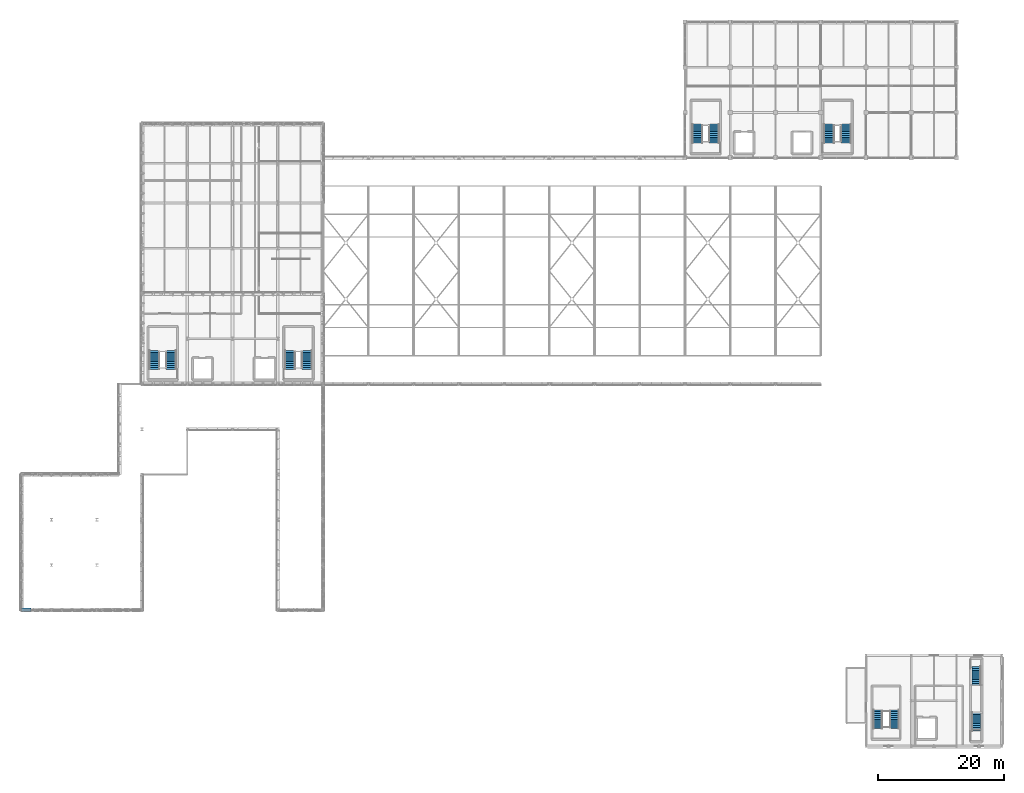
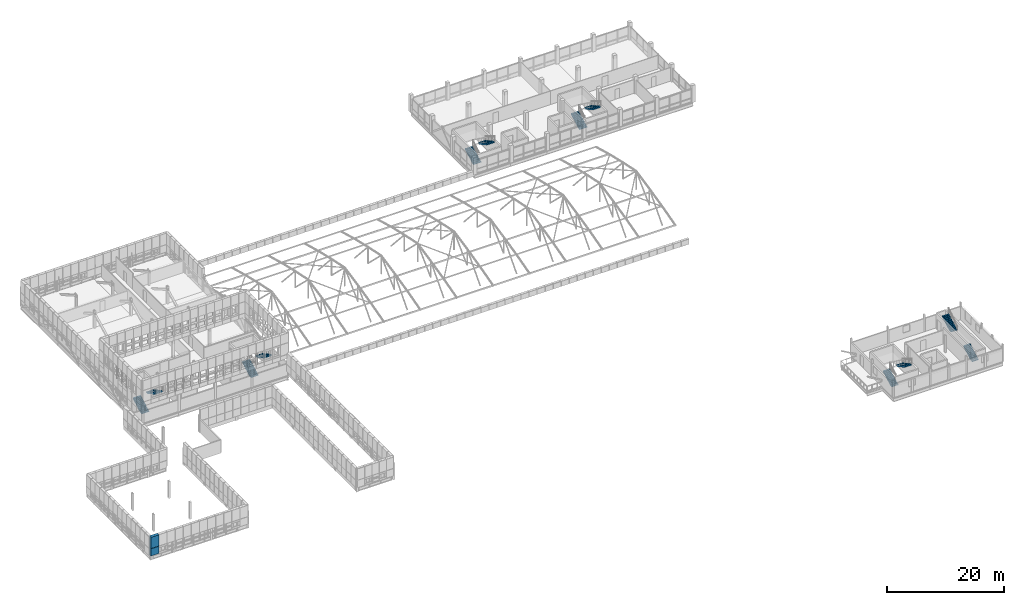
# One storey, part 62 of 96: 12 stair flights, 2 discrete accessories, 6 elements without a shape of their own.
"""IFC4 building model written with IfcOpenShell, lengths in metres."""

from ifc_helpers import new_model, si_unit, direction, frame, origin, origin_2d, place, context, subcontext, project, spatial, polyline, rectangle, outline, extrude, material, type_object, element, aggregate, save


model = new_model("IFC4")

# Units and contexts
model_context = context("Model", 3, precision=1e-05, world=origin(), true_north=direction((0.0, 1.0)))
body_context = subcontext(model_context, "Body", "Model", "MODEL_VIEW")
ifc_project = project(units=[si_unit("LENGTHUNIT", "METRE"), si_unit("AREAUNIT", "SQUARE_METRE"), si_unit("VOLUMEUNIT", "CUBIC_METRE"), si_unit("PLANEANGLEUNIT", "RADIAN"), si_unit("MASSUNIT", "GRAM", prefix="KILO")], contexts=[model_context])

# Site, building, storey
site_placement = place(None, origin())
site = spatial("IfcSite", under=ifc_project, at=site_placement, CompositionType="ELEMENT")
building_placement = place(site_placement, origin())
building = spatial("IfcBuilding", under=site, at=building_placement, Name="Yarey Park Central Fire Station", CompositionType="ELEMENT")
storey_placement = place(building_placement, frame((0.0, 0.0, 14.39990234375)))
storey = spatial("IfcBuildingStorey", under=building, at=storey_placement, Name="L04", CompositionType="ELEMENT", Elevation=14.39990234375)

# Stair, stair flights
ifc_material_1 = material(Name="Concrete C40/50", Category="concrete")
stair_type_1 = type_object("IfcStairType", Name="INT_ST_2RUN_130_H36", PredefinedType="USERDEFINED", material=ifc_material_1)
stair_1_placement = place(storey_placement, origin())
stair_1 = element("IfcStair", 1, at=stair_1_placement, inside=storey, type_object=stair_type_1, Name="Exit Stair ST-5 L04", ObjectType="TWO_RUN_STAIR", PredefinedType="USERDEFINED")
stair_flight_type_1 = type_object("IfcStairFlightType", Name="INT_FLT_130_11", PredefinedType="STRAIGHT", material=ifc_material_1)
stair_flight_1_placement = place(storey_placement, frame((145.89990234375, 2.75, 0.0), z_axis=(0.0, 0.0, 1.0), x_axis=(0.0, 1.0, 0.0)))
stair_flight_1 = element("IfcStairFlight", 2, at=stair_flight_1_placement, type_object=stair_flight_type_1, Name="STAIR_C5_L04_F1", NumberOfRisers=11, NumberOfTreads=10, PredefinedType="STRAIGHT", RiserHeight=0.163636, TreadLength=0.3, context=body_context, shape_type="SweptSolid", body=[
    extrude(outline(polyline([(0.0, 0.0), (0.0, 0.16357421875), (0.300048828125, 0.16357421875), (0.300048828125, 0.327392578125), (0.60009765625, 0.327392578125), (0.60009765625, 0.490966796875), (0.89990234375, 0.490966796875), (0.89990234375, 0.654541015625), (1.199951171875, 0.654541015625), (1.199951171875, 0.818115234375), (1.5, 0.818115234375), (1.5, 0.98193359375), (1.800048828125, 0.98193359375), (1.800048828125, 1.1455078125), (2.10009765625, 1.1455078125), (2.10009765625, 1.30908203125), (2.39990234375, 1.30908203125), (2.39990234375, 1.47265625), (2.699951171875, 1.47265625), (2.699951171875, 1.636474609375), (3.0, 1.636474609375), (3.0, 1.800048828125), (3.0, 1.3857421875), (0.45947265625, 0.0), (0.0, 0.0)])), frame((0.0, 0.64990234375, 0.0), z_axis=(0.0, -1.0, 0.0), x_axis=(1.0, 0.0, 0.0)), (0.0, 0.0, 1.0), 1.300048828125),
])
stair_flight_2_placement = place(storey_placement, frame((148.5, 5.75, 1.800048828125), z_axis=(0.0, 0.0, 1.0), x_axis=(0.0, -1.0, 0.0)))
stair_flight_2 = element("IfcStairFlight", 3, at=stair_flight_2_placement, type_object=stair_flight_type_1, Name="STAIR_C5_L04_F2", NumberOfRisers=11, NumberOfTreads=10, PredefinedType="STRAIGHT", RiserHeight=0.163636, TreadLength=0.3, context=body_context, shape_type="SweptSolid", body=[
    extrude(outline(polyline([(0.0, 0.0), (0.0, 0.16357421875), (0.300048828125, 0.16357421875), (0.300048828125, 0.327392578125), (0.60009765625, 0.327392578125), (0.60009765625, 0.490966796875), (0.89990234375, 0.490966796875), (0.89990234375, 0.654541015625), (1.199951171875, 0.654541015625), (1.199951171875, 0.818115234375), (1.5, 0.818115234375), (1.5, 0.98193359375), (1.800048828125, 0.98193359375), (1.800048828125, 1.1455078125), (2.10009765625, 1.1455078125), (2.10009765625, 1.30908203125), (2.39990234375, 1.30908203125), (2.39990234375, 1.47265625), (2.699951171875, 1.47265625), (2.699951171875, 1.636474609375), (3.0, 1.636474609375), (3.0, 1.800048828125), (3.0, 1.3857421875), (0.45947265625, 0.0), (0.0, 0.0)])), frame((0.0, 0.64990234375, 0.0), z_axis=(0.0, -1.0, 0.0), x_axis=(1.0, 0.0, 0.0)), (0.0, 0.0, 1.0), 1.300048828125),
])
aggregate(stair_1, [stair_flight_1, stair_flight_2])

stair_type_2 = type_object("IfcStairType", Name="INT_ST_1RUN_130_H36", PredefinedType="STRAIGHT_RUN_STAIR", material=ifc_material_1)
stair_2_placement = place(storey_placement, origin())
stair_2 = element("IfcStair", 4, at=stair_2_placement, inside=storey, type_object=stair_type_2, Name="Exit Stair ST-6 L04", PredefinedType="STRAIGHT_RUN_STAIR")
stair_flight_3_placement = place(storey_placement, frame((161.550048828125, 2.35009765625, 0.0), z_axis=(0.0, 0.0, 1.0), x_axis=(0.0, 1.0, 0.0)))
stair_flight_3 = element("IfcStairFlight", 5, at=stair_flight_3_placement, type_object=stair_flight_type_1, Name="STAIR_C6_L04_F1", NumberOfRisers=11, NumberOfTreads=10, PredefinedType="STRAIGHT", RiserHeight=0.163636, TreadLength=0.3, context=body_context, shape_type="SweptSolid", body=[
    extrude(outline(polyline([(0.0, 0.0), (0.0, 0.16357421875), (0.300048828125, 0.16357421875), (0.300048828125, 0.327392578125), (0.60009765625, 0.327392578125), (0.60009765625, 0.490966796875), (0.89990234375, 0.490966796875), (0.89990234375, 0.654541015625), (1.199951171875, 0.654541015625), (1.199951171875, 0.818115234375), (1.5, 0.818115234375), (1.5, 0.98193359375), (1.800048828125, 0.98193359375), (1.800048828125, 1.1455078125), (2.10009765625, 1.1455078125), (2.10009765625, 1.30908203125), (2.39990234375, 1.30908203125), (2.39990234375, 1.47265625), (2.699951171875, 1.47265625), (2.699951171875, 1.636474609375), (3.0, 1.636474609375), (3.0, 1.800048828125), (3.0, 1.3857421875), (0.45947265625, 0.0), (0.0, 0.0)])), frame((0.0, 0.64990234375, 0.0), z_axis=(0.0, -1.0, 0.0), x_axis=(1.0, 0.0, 0.0)), (0.0, 0.0, 1.0), 1.300048828125),
])
stair_flight_4_placement = place(storey_placement, frame((161.550048828125, 9.64990234375, 1.800048828125), z_axis=(0.0, 0.0, 1.0), x_axis=(0.0, 1.0, 0.0)))
stair_flight_4 = element("IfcStairFlight", 6, at=stair_flight_4_placement, type_object=stair_flight_type_1, Name="STAIR_C6_L04_F2", NumberOfRisers=11, NumberOfTreads=10, PredefinedType="STRAIGHT", RiserHeight=0.163636, TreadLength=0.3, context=body_context, shape_type="SweptSolid", body=[
    extrude(outline(polyline([(0.0, 0.0), (0.0, 0.16357421875), (0.300048828125, 0.16357421875), (0.300048828125, 0.327392578125), (0.60009765625, 0.327392578125), (0.60009765625, 0.490966796875), (0.89990234375, 0.490966796875), (0.89990234375, 0.654541015625), (1.199951171875, 0.654541015625), (1.199951171875, 0.818115234375), (1.5, 0.818115234375), (1.5, 0.98193359375), (1.800048828125, 0.98193359375), (1.800048828125, 1.1455078125), (2.10009765625, 1.1455078125), (2.10009765625, 1.30908203125), (2.39990234375, 1.30908203125), (2.39990234375, 1.47265625), (2.699951171875, 1.47265625), (2.699951171875, 1.636474609375), (3.0, 1.636474609375), (3.0, 1.800048828125), (3.0, 1.3857421875), (0.45947265625, 0.0), (0.0, 0.0)])), frame((0.0, 0.64990234375, 0.0), z_axis=(0.0, -1.0, 0.0), x_axis=(1.0, 0.0, 0.0)), (0.0, 0.0, 1.0), 1.300048828125),
])
aggregate(stair_2, [stair_flight_3, stair_flight_4])

stair_type_3 = type_object("IfcStairType", Name="INT_ST_2RUN_150_H36", PredefinedType="USERDEFINED", material=ifc_material_1)
stair_3_placement = place(storey_placement, origin())
stair_3 = element("IfcStair", 7, at=stair_3_placement, inside=storey, type_object=stair_type_3, Name="Exit Stair ST-1 L04", ObjectType="TWO_RUN_STAIR", PredefinedType="USERDEFINED")
stair_flight_type_2 = type_object("IfcStairFlightType", Name="INT_FLT_150_11", PredefinedType="STRAIGHT", material=ifc_material_1)
stair_flight_5_placement = place(storey_placement, frame((117.199951171875, 95.949951171875, 0.0), z_axis=(0.0, 0.0, 1.0), x_axis=(0.0, 1.0, 0.0)))
stair_flight_5 = element("IfcStairFlight", 8, at=stair_flight_5_placement, type_object=stair_flight_type_2, Name="STAIR_C1_L04_F1", NumberOfRisers=11, NumberOfTreads=10, PredefinedType="STRAIGHT", RiserHeight=0.163636, TreadLength=0.3, context=body_context, shape_type="SweptSolid", body=[
    extrude(outline(polyline([(0.0, 0.0), (0.0, 0.16357421875), (0.300048828125, 0.16357421875), (0.300048828125, 0.327392578125), (0.60009765625, 0.327392578125), (0.60009765625, 0.490966796875), (0.89990234375, 0.490966796875), (0.89990234375, 0.654541015625), (1.199951171875, 0.654541015625), (1.199951171875, 0.818115234375), (1.5, 0.818115234375), (1.5, 0.98193359375), (1.800048828125, 0.98193359375), (1.800048828125, 1.1455078125), (2.10009765625, 1.1455078125), (2.10009765625, 1.30908203125), (2.39990234375, 1.30908203125), (2.39990234375, 1.47265625), (2.699951171875, 1.47265625), (2.699951171875, 1.636474609375), (3.0, 1.636474609375), (3.0, 1.800048828125), (3.0, 1.3857421875), (0.45947265625, 0.0), (0.0, 0.0)])), frame((0.0, 0.75, 0.0), z_axis=(0.0, -1.0, 0.0), x_axis=(1.0, 0.0, 0.0)), (0.0, 0.0, 1.0), 1.5),
])
stair_flight_6_placement = place(storey_placement, frame((119.800048828125, 98.949951171875, 1.800048828125), z_axis=(0.0, 0.0, 1.0), x_axis=(0.0, -1.0, 0.0)))
stair_flight_6 = element("IfcStairFlight", 9, at=stair_flight_6_placement, type_object=stair_flight_type_2, Name="STAIR_C1_L04_F2", NumberOfRisers=11, NumberOfTreads=10, PredefinedType="STRAIGHT", RiserHeight=0.163636, TreadLength=0.3, context=body_context, shape_type="SweptSolid", body=[
    extrude(outline(polyline([(0.0, 0.0), (0.0, 0.16357421875), (0.300048828125, 0.16357421875), (0.300048828125, 0.327392578125), (0.60009765625, 0.327392578125), (0.60009765625, 0.490966796875), (0.89990234375, 0.490966796875), (0.89990234375, 0.654541015625), (1.199951171875, 0.654541015625), (1.199951171875, 0.818115234375), (1.5, 0.818115234375), (1.5, 0.98193359375), (1.800048828125, 0.98193359375), (1.800048828125, 1.1455078125), (2.10009765625, 1.1455078125), (2.10009765625, 1.30908203125), (2.39990234375, 1.30908203125), (2.39990234375, 1.47265625), (2.699951171875, 1.47265625), (2.699951171875, 1.636474609375), (3.0, 1.636474609375), (3.0, 1.800048828125), (3.0, 1.3857421875), (0.45947265625, 0.0), (0.0, 0.0)])), frame((0.0, 0.75, 0.0), z_axis=(0.0, -1.0, 0.0), x_axis=(1.0, 0.0, 0.0)), (0.0, 0.0, 1.0), 1.5),
])
aggregate(stair_3, [stair_flight_5, stair_flight_6])

stair_4_placement = place(storey_placement, origin())
stair_4 = element("IfcStair", 10, at=stair_4_placement, inside=storey, type_object=stair_type_3, Name="Exit Stair ST-2 L04", ObjectType="TWO_RUN_STAIR", PredefinedType="USERDEFINED")
stair_flight_7_placement = place(storey_placement, frame((138.14990234375, 95.949951171875, 0.0), z_axis=(0.0, 0.0, 1.0), x_axis=(0.0, 1.0, 0.0)))
stair_flight_7 = element("IfcStairFlight", 11, at=stair_flight_7_placement, type_object=stair_flight_type_2, Name="STAIR_C2_L04_F1", NumberOfRisers=11, NumberOfTreads=10, PredefinedType="STRAIGHT", RiserHeight=0.163636, TreadLength=0.3, context=body_context, shape_type="SweptSolid", body=[
    extrude(outline(polyline([(0.0, 0.0), (0.0, 0.16357421875), (0.300048828125, 0.16357421875), (0.300048828125, 0.327392578125), (0.60009765625, 0.327392578125), (0.60009765625, 0.490966796875), (0.89990234375, 0.490966796875), (0.89990234375, 0.654541015625), (1.199951171875, 0.654541015625), (1.199951171875, 0.818115234375), (1.5, 0.818115234375), (1.5, 0.98193359375), (1.800048828125, 0.98193359375), (1.800048828125, 1.1455078125), (2.10009765625, 1.1455078125), (2.10009765625, 1.30908203125), (2.39990234375, 1.30908203125), (2.39990234375, 1.47265625), (2.699951171875, 1.47265625), (2.699951171875, 1.636474609375), (3.0, 1.636474609375), (3.0, 1.800048828125), (3.0, 1.3857421875), (0.45947265625, 0.0), (0.0, 0.0)])), frame((0.0, 0.75, 0.0), z_axis=(0.0, -1.0, 0.0), x_axis=(1.0, 0.0, 0.0)), (0.0, 0.0, 1.0), 1.5),
])
stair_flight_8_placement = place(storey_placement, frame((140.75, 98.949951171875, 1.800048828125), z_axis=(0.0, 0.0, 1.0), x_axis=(0.0, -1.0, 0.0)))
stair_flight_8 = element("IfcStairFlight", 12, at=stair_flight_8_placement, type_object=stair_flight_type_2, Name="STAIR_C2_L04_F2", NumberOfRisers=11, NumberOfTreads=10, PredefinedType="STRAIGHT", RiserHeight=0.163636, TreadLength=0.3, context=body_context, shape_type="SweptSolid", body=[
    extrude(outline(polyline([(0.0, 0.0), (0.0, 0.16357421875), (0.300048828125, 0.16357421875), (0.300048828125, 0.327392578125), (0.60009765625, 0.327392578125), (0.60009765625, 0.490966796875), (0.89990234375, 0.490966796875), (0.89990234375, 0.654541015625), (1.199951171875, 0.654541015625), (1.199951171875, 0.818115234375), (1.5, 0.818115234375), (1.5, 0.98193359375), (1.800048828125, 0.98193359375), (1.800048828125, 1.1455078125), (2.10009765625, 1.1455078125), (2.10009765625, 1.30908203125), (2.39990234375, 1.30908203125), (2.39990234375, 1.47265625), (2.699951171875, 1.47265625), (2.699951171875, 1.636474609375), (3.0, 1.636474609375), (3.0, 1.800048828125), (3.0, 1.3857421875), (0.45947265625, 0.0), (0.0, 0.0)])), frame((0.0, 0.75, 0.0), z_axis=(0.0, -1.0, 0.0), x_axis=(1.0, 0.0, 0.0)), (0.0, 0.0, 1.0), 1.5),
])
aggregate(stair_4, [stair_flight_7, stair_flight_8])

stair_5_placement = place(storey_placement, origin())
stair_5 = element("IfcStair", 13, at=stair_5_placement, inside=storey, type_object=stair_type_3, Name="Exit Stair ST-3 L04", ObjectType="TWO_RUN_STAIR", PredefinedType="USERDEFINED")
stair_flight_9_placement = place(storey_placement, frame((30.800048828125, 59.949951171875, 0.0), z_axis=(0.0, 0.0, 1.0), x_axis=(0.0, 1.0, 0.0)))
stair_flight_9 = element("IfcStairFlight", 14, at=stair_flight_9_placement, type_object=stair_flight_type_2, Name="STAIR_C3_L04_F1", NumberOfRisers=11, NumberOfTreads=10, PredefinedType="STRAIGHT", RiserHeight=0.163636, TreadLength=0.3, context=body_context, shape_type="SweptSolid", body=[
    extrude(outline(polyline([(0.0, 0.0), (0.0, 0.16357421875), (0.300048828125, 0.16357421875), (0.300048828125, 0.327392578125), (0.60009765625, 0.327392578125), (0.60009765625, 0.490966796875), (0.89990234375, 0.490966796875), (0.89990234375, 0.654541015625), (1.199951171875, 0.654541015625), (1.199951171875, 0.818115234375), (1.5, 0.818115234375), (1.5, 0.98193359375), (1.800048828125, 0.98193359375), (1.800048828125, 1.1455078125), (2.10009765625, 1.1455078125), (2.10009765625, 1.30908203125), (2.39990234375, 1.30908203125), (2.39990234375, 1.47265625), (2.699951171875, 1.47265625), (2.699951171875, 1.636474609375), (3.0, 1.636474609375), (3.0, 1.800048828125), (3.0, 1.3857421875), (0.45947265625, 0.0), (0.0, 0.0)])), frame((0.0, 0.75, 0.0), z_axis=(0.0, -1.0, 0.0), x_axis=(1.0, 0.0, 0.0)), (0.0, 0.0, 1.0), 1.5),
])
stair_flight_10_placement = place(storey_placement, frame((33.39990234375, 62.949951171875, 1.800048828125), z_axis=(0.0, 0.0, 1.0), x_axis=(0.0, -1.0, 0.0)))
stair_flight_10 = element("IfcStairFlight", 15, at=stair_flight_10_placement, type_object=stair_flight_type_2, Name="STAIR_C3_L04_F2", NumberOfRisers=11, NumberOfTreads=10, PredefinedType="STRAIGHT", RiserHeight=0.163636, TreadLength=0.3, context=body_context, shape_type="SweptSolid", body=[
    extrude(outline(polyline([(0.0, 0.0), (0.0, 0.16357421875), (0.300048828125, 0.16357421875), (0.300048828125, 0.327392578125), (0.60009765625, 0.327392578125), (0.60009765625, 0.490966796875), (0.89990234375, 0.490966796875), (0.89990234375, 0.654541015625), (1.199951171875, 0.654541015625), (1.199951171875, 0.818115234375), (1.5, 0.818115234375), (1.5, 0.98193359375), (1.800048828125, 0.98193359375), (1.800048828125, 1.1455078125), (2.10009765625, 1.1455078125), (2.10009765625, 1.30908203125), (2.39990234375, 1.30908203125), (2.39990234375, 1.47265625), (2.699951171875, 1.47265625), (2.699951171875, 1.636474609375), (3.0, 1.636474609375), (3.0, 1.800048828125), (3.0, 1.3857421875), (0.45947265625, 0.0), (0.0, 0.0)])), frame((0.0, 0.75, 0.0), z_axis=(0.0, -1.0, 0.0), x_axis=(1.0, 0.0, 0.0)), (0.0, 0.0, 1.0), 1.5),
])
aggregate(stair_5, [stair_flight_9, stair_flight_10])

stair_6_placement = place(storey_placement, origin())
stair_6 = element("IfcStair", 16, at=stair_6_placement, inside=storey, type_object=stair_type_3, Name="Exit Stair ST-4 L04", ObjectType="TWO_RUN_STAIR", PredefinedType="USERDEFINED")
stair_flight_11_placement = place(storey_placement, frame((52.39990234375, 59.949951171875, 0.0), z_axis=(0.0, 0.0, 1.0), x_axis=(0.0, 1.0, 0.0)))
stair_flight_11 = element("IfcStairFlight", 17, at=stair_flight_11_placement, type_object=stair_flight_type_2, Name="STAIR_C4_L04_F1", NumberOfRisers=11, NumberOfTreads=10, PredefinedType="STRAIGHT", RiserHeight=0.163636, TreadLength=0.3, context=body_context, shape_type="SweptSolid", body=[
    extrude(outline(polyline([(0.0, 0.0), (0.0, 0.16357421875), (0.300048828125, 0.16357421875), (0.300048828125, 0.327392578125), (0.60009765625, 0.327392578125), (0.60009765625, 0.490966796875), (0.89990234375, 0.490966796875), (0.89990234375, 0.654541015625), (1.199951171875, 0.654541015625), (1.199951171875, 0.818115234375), (1.5, 0.818115234375), (1.5, 0.98193359375), (1.800048828125, 0.98193359375), (1.800048828125, 1.1455078125), (2.10009765625, 1.1455078125), (2.10009765625, 1.30908203125), (2.39990234375, 1.30908203125), (2.39990234375, 1.47265625), (2.699951171875, 1.47265625), (2.699951171875, 1.636474609375), (3.0, 1.636474609375), (3.0, 1.800048828125), (3.0, 1.3857421875), (0.45947265625, 0.0), (0.0, 0.0)])), frame((0.0, 0.75, 0.0), z_axis=(0.0, -1.0, 0.0), x_axis=(1.0, 0.0, 0.0)), (0.0, 0.0, 1.0), 1.5),
])
stair_flight_12_placement = place(storey_placement, frame((55.0, 62.949951171875, 1.800048828125), z_axis=(0.0, 0.0, 1.0), x_axis=(0.0, -1.0, 0.0)))
stair_flight_12 = element("IfcStairFlight", 18, at=stair_flight_12_placement, type_object=stair_flight_type_2, Name="STAIR_C4_L04_F2", NumberOfRisers=11, NumberOfTreads=10, PredefinedType="STRAIGHT", RiserHeight=0.163636, TreadLength=0.3, context=body_context, shape_type="SweptSolid", body=[
    extrude(outline(polyline([(0.0, 0.0), (0.0, 0.16357421875), (0.300048828125, 0.16357421875), (0.300048828125, 0.327392578125), (0.60009765625, 0.327392578125), (0.60009765625, 0.490966796875), (0.89990234375, 0.490966796875), (0.89990234375, 0.654541015625), (1.199951171875, 0.654541015625), (1.199951171875, 0.818115234375), (1.5, 0.818115234375), (1.5, 0.98193359375), (1.800048828125, 0.98193359375), (1.800048828125, 1.1455078125), (2.10009765625, 1.1455078125), (2.10009765625, 1.30908203125), (2.39990234375, 1.30908203125), (2.39990234375, 1.47265625), (2.699951171875, 1.47265625), (2.699951171875, 1.636474609375), (3.0, 1.636474609375), (3.0, 1.800048828125), (3.0, 1.3857421875), (0.45947265625, 0.0), (0.0, 0.0)])), frame((0.0, 0.75, 0.0), z_axis=(0.0, -1.0, 0.0), x_axis=(1.0, 0.0, 0.0)), (0.0, 0.0, 1.0), 1.5),
])
aggregate(stair_6, [stair_flight_11, stair_flight_12])

# Discrete accessories
ifc_material_2 = material(Name="Stainless Steel AISI 316L", Category="steel")
discrete_accessory_type = type_object("IfcDiscreteAccessoryType", Name="ENV_BRK_SS1", PredefinedType="BRACKET", material=ifc_material_2)
discrete_accessory_1_placement = place(storey_placement, frame((10.39990234375, 21.64990234375, 0.875), z_axis=(0.0, 0.0, 1.0), x_axis=(1.0, 0.0, 0.0)))
element("IfcDiscreteAccessory", 19, at=discrete_accessory_1_placement, inside=storey, type_object=discrete_accessory_type, Name="BRK_PERF_L04_0106", PredefinedType="BRACKET", context=body_context, shape_type="SweptSolid", body=[
    extrude(rectangle(XDim=1.5400390625, YDim=0.5400390625, at=origin_2d()), origin(), (0.0, 0.0, 1.0), 1.52001953125),
])
discrete_accessory_2_placement = place(storey_placement, frame((10.39990234375, 21.64990234375, 2.445068359375), z_axis=(0.0, 0.0, 1.0), x_axis=(1.0, 0.0, 0.0)))
element("IfcDiscreteAccessory", 20, at=discrete_accessory_2_placement, inside=storey, type_object=discrete_accessory_type, Name="BRK_PERF_L04_0107", PredefinedType="BRACKET", context=body_context, shape_type="SweptSolid", body=[
    extrude(rectangle(XDim=1.5400390625, YDim=0.5400390625, at=origin_2d()), origin(), (0.0, 0.0, 1.0), 2.35009765625),
])

save(model, "model.ifc")
